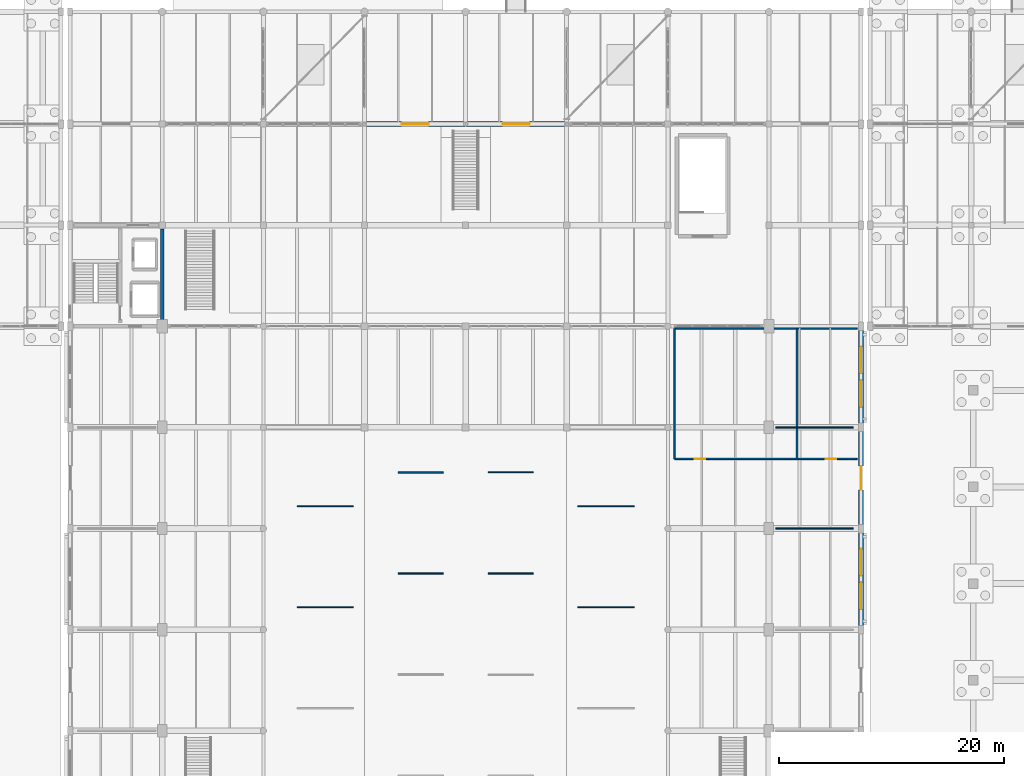
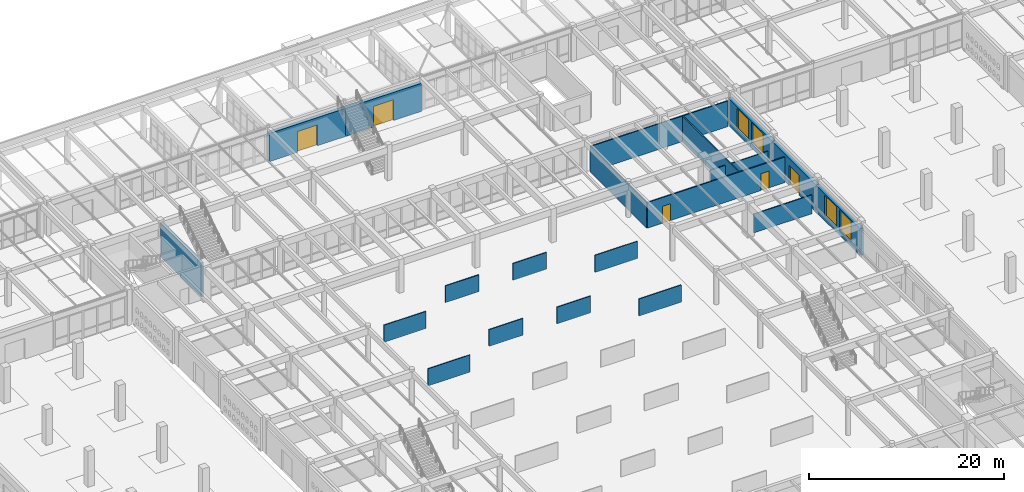
# One storey, part 166 of 186: 20 walls, 5 doors, 4 windows, 9 openings.
"""IFC4 building model written with IfcOpenShell, lengths in metres."""

from ifc_helpers import new_model, si_unit, direction, frame, frame_2d, origin, place, context, subcontext, project, spatial, rectangle, extrude, material, layer, layer_set, type_object, element, fill, save


model = new_model("IFC4")

# Units and contexts
model_context = context("Model", 3, precision=1e-05, world=origin(), true_north=direction((0.0, 1.0)))
body_context = subcontext(model_context, "Body", "Model", "MODEL_VIEW")
ifc_project = project(units=[si_unit("LENGTHUNIT", "METRE"), si_unit("AREAUNIT", "SQUARE_METRE"), si_unit("VOLUMEUNIT", "CUBIC_METRE"), si_unit("PLANEANGLEUNIT", "RADIAN"), si_unit("MASSUNIT", "GRAM", prefix="KILO")], contexts=[model_context])

# Site, building, storey
site_placement = place(None, origin())
site = spatial("IfcSite", under=ifc_project, at=site_placement, CompositionType="ELEMENT")
building_placement = place(site_placement, origin())
building = spatial("IfcBuilding", under=site, at=building_placement, Name="Ornek Quay Market", CompositionType="ELEMENT")
storey_placement = place(building_placement, origin())
storey = spatial("IfcBuildingStorey", under=building, at=storey_placement, Name="L00", CompositionType="ELEMENT", Elevation=0.0)

# Wall
ifc_material_1 = material(Name="Concrete C40/50", Category="concrete")
ifc_layer_1 = layer(ifc_material_1, 0.300048828125, Name="Concrete C40/50", Category="concrete")
ifc_layer_set_1 = layer_set([ifc_layer_1], Name="Concrete C40/50")
wall_type_1 = type_object("IfcWallType", Name="WL-CORE-300", PredefinedType="SHEAR", material=ifc_layer_set_1)
wall_1_placement = place(storey_placement, frame((63.0, 92.35009765625, 0.0), z_axis=(0.0, 0.0, 1.0), x_axis=(0.0, 1.0, 0.0)))
element("IfcWall", 1, at=wall_1_placement, inside=storey, type_object=wall_type_1, Name="Interior wall W-CORE1-039", PredefinedType="SHEAR", context=body_context, shape_type="SweptSolid", body=[
    extrude(rectangle(XDim=8.2998046875, YDim=0.300048828125, at=frame_2d((4.14990234375, 0.0))), origin(), (0.0, 0.0, 1.0), 4.219970703125),
])

# Wall, openings, windows
ifc_material_2 = material(Name="Frost-resistant facing clay brick M200 F100", Category="masonry")
ifc_layer_2 = layer(ifc_material_2, 0.419921875, Name="Frost-resistant facing clay brick M200 F100", Category="masonry")
ifc_layer_set_2 = layer_set([ifc_layer_2], Name="Frost-resistant facing clay brick M200 F100")
wall_type_2 = type_object("IfcWallType", Name="WL-EXT-HALL-420", PredefinedType="STANDARD", material=ifc_layer_set_2)
wall_2_placement = place(storey_placement, frame((125.199951171875, 65.0, 0.0), z_axis=(0.0, 0.0, 1.0), x_axis=(0.0, 1.0, 0.0)))
wall_2 = element("IfcWall", 2, at=wall_2_placement, inside=storey, type_object=wall_type_2, Name="Exterior wall EW-124", PredefinedType="STANDARD", context=body_context, shape_type="SweptSolid", body=[
    extrude(rectangle(XDim=9.0, YDim=0.419921875, at=frame_2d((4.5, 0.0))), origin(), (0.0, 0.0, 1.0), 3.3701171875),
])
opening_1_placement = place(wall_2_placement, frame((1.800048828125, 0.0, 0.590087890625)))
opening_1 = element("IfcOpeningElement", 3, at=opening_1_placement, cuts=wall_2, Name="Opening W-01-082", PredefinedType="OPENING", context=body_context, shape_type="SweptSolid", body=[
    extrude(rectangle(XDim=2.39990234375, YDim=2.60009765625, at=frame_2d((1.199951171875, 1.300048828125))), frame((0.0, 0.219970703125, 0.0), z_axis=(0.0, -1.0, 0.0), x_axis=(1.0, 0.0, 0.0)), (0.0, 0.0, 1.0), 0.43994140625),
])
opening_2_placement = place(wall_2_placement, frame((4.800048828125, 0.0, 0.590087890625)))
opening_2 = element("IfcOpeningElement", 4, at=opening_2_placement, cuts=wall_2, Name="Opening W-01-083", PredefinedType="OPENING", context=body_context, shape_type="SweptSolid", body=[
    extrude(rectangle(XDim=2.39990234375, YDim=2.60009765625, at=frame_2d((1.199951171875, 1.300048828125))), frame((0.0, 0.219970703125, 0.0), z_axis=(0.0, -1.0, 0.0), x_axis=(1.0, 0.0, 0.0)), (0.0, 0.0, 1.0), 0.43994140625),
])
ifc_material_3 = material(Name="Thermally broken bronze aluminium and triple low-e glass", Category="aluminium")
window_type = type_object("IfcWindowType", Name="WN-HALL-2400x2600", PartitioningType="DOUBLE_PANEL_VERTICAL", PredefinedType="WINDOW", material=ifc_material_3)
window_1_placement = place(opening_1_placement, origin())
window_1 = element("IfcWindow", 5, at=window_1_placement, inside=storey, type_object=window_type, Name="Window W-01-082", OverallHeight=2.60009765625, OverallWidth=2.39990234375, PartitioningType="SINGLE_PANEL", PredefinedType="WINDOW", context=body_context, shape_type="SweptSolid", body=[
    extrude(rectangle(XDim=2.39990234375, YDim=2.60009765625, at=frame_2d((1.199951171875, 1.300048828125))), frame((0.0, 0.030029296875, 0.0), z_axis=(0.0, -1.0, 0.0), x_axis=(1.0, 0.0, 0.0)), (0.0, 0.0, 1.0), 0.06005859375),
])
fill(opening_1, window_1)
window_2_placement = place(opening_2_placement, origin())
window_2 = element("IfcWindow", 6, at=window_2_placement, inside=storey, type_object=window_type, Name="Window W-01-083", OverallHeight=2.60009765625, OverallWidth=2.39990234375, PartitioningType="SINGLE_PANEL", PredefinedType="WINDOW", context=body_context, shape_type="SweptSolid", body=[
    extrude(rectangle(XDim=2.39990234375, YDim=2.60009765625, at=frame_2d((1.199951171875, 1.300048828125))), frame((0.0, 0.030029296875, 0.0), z_axis=(0.0, -1.0, 0.0), x_axis=(1.0, 0.0, 0.0)), (0.0, 0.0, 1.0), 0.06005859375),
])
fill(opening_2, window_2)

# Wall, opening, door
wall_3_placement = place(storey_placement, frame((125.199951171875, 74.0, 0.0), z_axis=(0.0, 0.0, 1.0), x_axis=(0.0, 1.0, 0.0)))
wall_3 = element("IfcWall", 7, at=wall_3_placement, inside=storey, type_object=wall_type_2, Name="Exterior wall EW-125", PredefinedType="STANDARD", context=body_context, shape_type="SweptSolid", body=[
    extrude(rectangle(XDim=9.0, YDim=0.419921875, at=frame_2d((4.5, 0.0))), origin(), (0.0, 0.0, 1.0), 3.3701171875),
])
opening_3_placement = place(wall_3_placement, frame((3.449951171875, 0.0, 0.0)))
opening_3 = element("IfcOpeningElement", 8, at=opening_3_placement, cuts=wall_3, Name="Opening ED-02-034", PredefinedType="OPENING", context=body_context, shape_type="SweptSolid", body=[
    extrude(rectangle(XDim=2.10009765625, YDim=2.5, at=frame_2d((1.050048828125, 1.25))), frame((0.0, 0.219970703125, 0.0), z_axis=(0.0, -1.0, 0.0), x_axis=(1.0, 0.0, 0.0)), (0.0, 0.0, 1.0), 0.43994140625),
])
ifc_material_4 = material(Name="Anodised bronze aluminium and triple glass", Category="aluminium")
door_type_1 = type_object("IfcDoorType", Name="DR-EXT-DBL-2100x2500", OperationType="DOUBLE_DOOR_SINGLE_SWING", PredefinedType="DOOR", material=ifc_material_4)
door_1_placement = place(opening_3_placement, origin())
door_1 = element("IfcDoor", 9, at=door_1_placement, inside=storey, type_object=door_type_1, Name="Exterior door ED-02-034", OperationType="DOUBLE_DOOR_SINGLE_SWING", OverallHeight=2.5, OverallWidth=2.10009765625, PredefinedType="DOOR", context=body_context, shape_type="SweptSolid", body=[
    extrude(rectangle(XDim=2.10009765625, YDim=2.5, at=frame_2d((1.050048828125, 1.25))), frame((0.0, 0.02490234375, 0.0), z_axis=(0.0, -1.0, 0.0), x_axis=(1.0, 0.0, 0.0)), (0.0, 0.0, 1.0), 0.050048828125),
])
fill(opening_3, door_1)

# Wall, openings, windows
wall_4_placement = place(storey_placement, frame((125.199951171875, 83.0, 0.0), z_axis=(0.0, 0.0, 1.0), x_axis=(0.0, 1.0, 0.0)))
wall_4 = element("IfcWall", 10, at=wall_4_placement, inside=storey, type_object=wall_type_2, Name="Exterior wall EW-126", PredefinedType="STANDARD", context=body_context, shape_type="SweptSolid", body=[
    extrude(rectangle(XDim=9.0, YDim=0.419921875, at=frame_2d((4.5, 0.0))), origin(), (0.0, 0.0, 1.0), 3.3701171875),
])
opening_4_placement = place(wall_4_placement, frame((1.800048828125, 0.0, 0.590087890625)))
opening_4 = element("IfcOpeningElement", 11, at=opening_4_placement, cuts=wall_4, Name="Opening W-01-084", PredefinedType="OPENING", context=body_context, shape_type="SweptSolid", body=[
    extrude(rectangle(XDim=2.39990234375, YDim=2.60009765625, at=frame_2d((1.199951171875, 1.300048828125))), frame((0.0, 0.219970703125, 0.0), z_axis=(0.0, -1.0, 0.0), x_axis=(1.0, 0.0, 0.0)), (0.0, 0.0, 1.0), 0.43994140625),
])
opening_5_placement = place(wall_4_placement, frame((4.800048828125, 0.0, 0.590087890625)))
opening_5 = element("IfcOpeningElement", 12, at=opening_5_placement, cuts=wall_4, Name="Opening W-01-085", PredefinedType="OPENING", context=body_context, shape_type="SweptSolid", body=[
    extrude(rectangle(XDim=2.39990234375, YDim=2.60009765625, at=frame_2d((1.199951171875, 1.300048828125))), frame((0.0, 0.219970703125, 0.0), z_axis=(0.0, -1.0, 0.0), x_axis=(1.0, 0.0, 0.0)), (0.0, 0.0, 1.0), 0.43994140625),
])
window_3_placement = place(opening_4_placement, origin())
window_3 = element("IfcWindow", 13, at=window_3_placement, inside=storey, type_object=window_type, Name="Window W-01-084", OverallHeight=2.60009765625, OverallWidth=2.39990234375, PartitioningType="SINGLE_PANEL", PredefinedType="WINDOW", context=body_context, shape_type="SweptSolid", body=[
    extrude(rectangle(XDim=2.39990234375, YDim=2.60009765625, at=frame_2d((1.199951171875, 1.300048828125))), frame((0.0, 0.030029296875, 0.0), z_axis=(0.0, -1.0, 0.0), x_axis=(1.0, 0.0, 0.0)), (0.0, 0.0, 1.0), 0.06005859375),
])
fill(opening_4, window_3)
window_4_placement = place(opening_5_placement, origin())
window_4 = element("IfcWindow", 14, at=window_4_placement, inside=storey, type_object=window_type, Name="Window W-01-085", OverallHeight=2.60009765625, OverallWidth=2.39990234375, PartitioningType="SINGLE_PANEL", PredefinedType="WINDOW", context=body_context, shape_type="SweptSolid", body=[
    extrude(rectangle(XDim=2.39990234375, YDim=2.60009765625, at=frame_2d((1.199951171875, 1.300048828125))), frame((0.0, 0.030029296875, 0.0), z_axis=(0.0, -1.0, 0.0), x_axis=(1.0, 0.0, 0.0)), (0.0, 0.0, 1.0), 0.06005859375),
])
fill(opening_5, window_4)

# Wall, opening, door
ifc_material_5 = material(Name="Granite-faced insulated concrete C35/45", Category="masonry")
ifc_layer_3 = layer(ifc_material_5, 0.43994140625, Name="Granite-faced insulated concrete C35/45", Category="masonry")
ifc_layer_set_3 = layer_set([ifc_layer_3], Name="Granite-faced insulated concrete C35/45")
wall_type_3 = type_object("IfcWallType", Name="WL-EXT-PLINTH-440", PredefinedType="STANDARD", material=ifc_layer_set_3)
wall_5_placement = place(storey_placement, frame((81.0, 110.0, 0.0), z_axis=(0.0, 0.0, 1.0), x_axis=(1.0, 0.0, 0.0)))
wall_5 = element("IfcWall", 15, at=wall_5_placement, inside=storey, type_object=wall_type_3, Name="Exterior wall EW-095", PredefinedType="STANDARD", context=body_context, shape_type="SweptSolid", body=[
    extrude(rectangle(XDim=9.0, YDim=0.43994140625, at=frame_2d((4.5, 0.0))), origin(), (0.0, 0.0, 1.0), 3.52001953125),
])
opening_6_placement = place(wall_5_placement, frame((3.300048828125, 0.0, 0.0)))
opening_6 = element("IfcOpeningElement", 16, at=opening_6_placement, cuts=wall_5, Name="Opening ED-01-020", PredefinedType="OPENING", context=body_context, shape_type="SweptSolid", body=[
    extrude(rectangle(XDim=2.39990234375, YDim=2.60009765625, at=frame_2d((1.199951171875, 1.300048828125))), frame((0.0, 0.22998046875, 0.0), z_axis=(0.0, -1.0, 0.0), x_axis=(1.0, 0.0, 0.0)), (0.0, 0.0, 1.0), 0.4599609375),
])
door_type_2 = type_object("IfcDoorType", Name="DR-EXT-DBL-2400x2600", OperationType="DOUBLE_DOOR_SINGLE_SWING", PredefinedType="DOOR", material=ifc_material_4)
door_2_placement = place(opening_6_placement, origin())
door_2 = element("IfcDoor", 17, at=door_2_placement, inside=storey, type_object=door_type_2, Name="Exterior door ED-01-020", OperationType="DOUBLE_DOOR_SINGLE_SWING", OverallHeight=2.60009765625, OverallWidth=2.39990234375, PredefinedType="DOOR", context=body_context, shape_type="SweptSolid", body=[
    extrude(rectangle(XDim=2.39990234375, YDim=2.60009765625, at=frame_2d((1.199951171875, 1.300048828125))), frame((0.0, 0.02490234375, 0.0), z_axis=(0.0, -1.0, 0.0), x_axis=(1.0, 0.0, 0.0)), (0.0, 0.0, 1.0), 0.050048828125),
])
fill(opening_6, door_2)

wall_6_placement = place(storey_placement, frame((90.0, 110.0, 0.0), z_axis=(0.0, 0.0, 1.0), x_axis=(1.0, 0.0, 0.0)))
wall_6 = element("IfcWall", 18, at=wall_6_placement, inside=storey, type_object=wall_type_3, Name="Exterior wall EW-096", PredefinedType="STANDARD", context=body_context, shape_type="SweptSolid", body=[
    extrude(rectangle(XDim=9.0, YDim=0.43994140625, at=frame_2d((4.5, 0.0))), origin(), (0.0, 0.0, 1.0), 3.52001953125),
])
opening_7_placement = place(wall_6_placement, frame((3.300048828125, 0.0, 0.0)))
opening_7 = element("IfcOpeningElement", 19, at=opening_7_placement, cuts=wall_6, Name="Opening ED-01-021", PredefinedType="OPENING", context=body_context, shape_type="SweptSolid", body=[
    extrude(rectangle(XDim=2.39990234375, YDim=2.60009765625, at=frame_2d((1.199951171875, 1.300048828125))), frame((0.0, 0.22998046875, 0.0), z_axis=(0.0, -1.0, 0.0), x_axis=(1.0, 0.0, 0.0)), (0.0, 0.0, 1.0), 0.4599609375),
])
door_3_placement = place(opening_7_placement, origin())
door_3 = element("IfcDoor", 20, at=door_3_placement, inside=storey, type_object=door_type_2, Name="Exterior door ED-01-021", OperationType="DOUBLE_DOOR_SINGLE_SWING", OverallHeight=2.60009765625, OverallWidth=2.39990234375, PredefinedType="DOOR", context=body_context, shape_type="SweptSolid", body=[
    extrude(rectangle(XDim=2.39990234375, YDim=2.60009765625, at=frame_2d((1.199951171875, 1.300048828125))), frame((0.0, 0.02490234375, 0.0), z_axis=(0.0, -1.0, 0.0), x_axis=(1.0, 0.0, 0.0)), (0.0, 0.0, 1.0), 0.050048828125),
])
fill(opening_7, door_3)

# Walls
ifc_material_6 = material(Name="Demountable timber-framed stall partition", Category="wood")
ifc_layer_4 = layer(ifc_material_6, 0.10009765625, Name="Demountable timber-framed stall partition", Category="wood")
ifc_layer_set_4 = layer_set([ifc_layer_4], Name="Demountable timber-framed stall partition")
wall_type_4 = type_object("IfcWallType", Name="WL-STALL-100", PredefinedType="PARTITIONING", material=ifc_layer_set_4)
for number, where, z_axis, x_axis, name in (
    (21, (75.0, 67.0, 0.0), (0.0, 0.0, 1.0), (1.0, 0.0, 0.0), "Interior wall W-STL2-286"),
    (22, (100.0, 67.0, 0.0), (0.0, 0.0, 1.0), (1.0, 0.0, 0.0), "Interior wall W-STL2-287"),
    (23, (75.0, 76.0, 0.0), (0.0, 0.0, 1.0), (1.0, 0.0, 0.0), "Interior wall W-STL2-290"),
    (24, (100.0, 76.0, 0.0), (0.0, 0.0, 1.0), (1.0, 0.0, 0.0), "Interior wall W-STL2-291"),
):
    element("IfcWall", number, at=place(storey_placement, frame(where, z_axis=z_axis, x_axis=x_axis)), inside=storey, type_object=wall_type_4, Name=name, PredefinedType="PARTITIONING", context=body_context, shape_type="SweptSolid", body=[
        extrude(rectangle(XDim=5.0, YDim=0.10009765625, at=frame_2d((2.5, 0.0))), origin(), (0.0, 0.0, 1.0), 2.14990234375),
    ])
for number, where, z_axis, x_axis, name in (
    (25, (92.0, 70.0, 0.0), (0.0, 0.0, 1.0), (1.0, 0.0, 0.0), "Interior wall W-STL2-370"),
    (26, (92.0, 79.0, 0.0), (0.0, 0.0, 1.0), (1.0, 0.0, 0.0), "Interior wall W-STL2-372"),
):
    element("IfcWall", number, at=place(storey_placement, frame(where, z_axis=z_axis, x_axis=x_axis)), inside=storey, type_object=wall_type_4, Name=name, PredefinedType="PARTITIONING", context=body_context, shape_type="SweptSolid", body=[
        extrude(rectangle(XDim=4.0, YDim=0.10009765625, at=frame_2d((2.0, 0.0))), origin(), (0.0, 0.0, 1.0), 2.10009765625),
    ])
ifc_material_7 = material(Name="Fair-faced brick stall divider wall", Category="masonry")
ifc_layer_5 = layer(ifc_material_7, 0.114990234375, Name="Fair-faced brick stall divider wall", Category="masonry")
ifc_layer_set_5 = layer_set([ifc_layer_5], Name="Fair-faced brick stall divider wall")
wall_type_5 = type_object("IfcWallType", Name="WL-STALL-115", PredefinedType="PARTITIONING", material=ifc_layer_set_5)
for number, where, z_axis, x_axis, name in (
    (27, (117.60009765625, 74.0, 0.0), (0.0, 0.0, 1.0), (1.0, 0.0, 0.0), "Interior wall W-STL1-289"),
    (28, (117.60009765625, 83.0, 0.0), (0.0, 0.0, 1.0), (1.0, 0.0, 0.0), "Interior wall W-STL1-293"),
):
    element("IfcWall", number, at=place(storey_placement, frame(where, z_axis=z_axis, x_axis=x_axis)), inside=storey, type_object=wall_type_5, Name=name, PredefinedType="PARTITIONING", context=body_context, shape_type="SweptSolid", body=[
        extrude(rectangle(XDim=6.89990234375, YDim=0.114990234375, at=frame_2d((3.449951171875, 0.0))), origin(), (0.0, 0.0, 1.0), 2.35009765625),
    ])
for number, where, z_axis, x_axis, name in (
    (29, (84.0, 70.0, 0.0), (0.0, 0.0, 1.0), (1.0, 0.0, 0.0), "Interior wall W-STL1-369"),
    (30, (84.0, 79.0, 0.0), (0.0, 0.0, 1.0), (1.0, 0.0, 0.0), "Interior wall W-STL1-371"),
):
    element("IfcWall", number, at=place(storey_placement, frame(where, z_axis=z_axis, x_axis=x_axis)), inside=storey, type_object=wall_type_5, Name=name, PredefinedType="PARTITIONING", context=body_context, shape_type="SweptSolid", body=[
        extrude(rectangle(XDim=4.0, YDim=0.114990234375, at=frame_2d((2.0, 0.0))), origin(), (0.0, 0.0, 1.0), 2.10009765625),
    ])

# Wall, openings, doors
ifc_material_8 = material(Name="Moisture-resistant masonry partition", Category="masonry")
ifc_layer_6 = layer(ifc_material_8, 0.139892578125, Name="Moisture-resistant masonry partition", Category="masonry")
ifc_layer_set_6 = layer_set([ifc_layer_6], Name="Moisture-resistant masonry partition")
wall_type_6 = type_object("IfcWallType", Name="WL-WC-140", PredefinedType="PARTITIONING", material=ifc_layer_set_6)
wall_7_placement = place(storey_placement, frame((108.60009765625, 80.199951171875, 0.0), z_axis=(0.0, 0.0, 1.0), x_axis=(1.0, 0.0, 0.0)))
wall_7 = element("IfcWall", 31, at=wall_7_placement, inside=storey, type_object=wall_type_6, Name="Interior wall W-INT4-294", PredefinedType="PARTITIONING", context=body_context, shape_type="SweptSolid", body=[
    extrude(rectangle(XDim=16.25, YDim=0.139892578125, at=frame_2d((8.125, 0.0))), origin(), (0.0, 0.0, 1.0), 3.199951171875),
])
opening_8_placement = place(wall_7_placement, frame((1.800048828125, 0.0, 0.0)))
opening_8 = element("IfcOpeningElement", 32, at=opening_8_placement, cuts=wall_7, Name="Opening ID-04-127", PredefinedType="OPENING", context=body_context, shape_type="SweptSolid", body=[
    extrude(rectangle(XDim=0.949951171875, YDim=2.10009765625, at=frame_2d((0.47509765625, 1.050048828125))), frame((0.0, 0.079833984375, 0.0), z_axis=(0.0, -1.0, 0.0), x_axis=(1.0, 0.0, 0.0)), (0.0, 0.0, 1.0), 0.159912109375),
])
opening_9_placement = place(wall_7_placement, frame((13.449951171875, 0.0, 0.0)))
opening_9 = element("IfcOpeningElement", 33, at=opening_9_placement, cuts=wall_7, Name="Opening ID-04-128", PredefinedType="OPENING", context=body_context, shape_type="SweptSolid", body=[
    extrude(rectangle(XDim=0.949951171875, YDim=2.10009765625, at=frame_2d((0.47509765625, 1.050048828125))), frame((0.0, 0.079833984375, 0.0), z_axis=(0.0, -1.0, 0.0), x_axis=(1.0, 0.0, 0.0)), (0.0, 0.0, 1.0), 0.159912109375),
])
ifc_material_9 = material(Name="Moisture-resistant laminate door", Category="other")
door_type_3 = type_object("IfcDoorType", Name="DR-INT-WC-950x2100", OperationType="NOTDEFINED", PredefinedType="DOOR", material=ifc_material_9)
door_4_placement = place(opening_8_placement, origin())
door_4 = element("IfcDoor", 34, at=door_4_placement, inside=storey, type_object=door_type_3, Name="Interior door ID-04-127", OperationType="SINGLE_SWING_RIGHT", OverallHeight=2.10009765625, OverallWidth=0.949951171875, PredefinedType="DOOR", context=body_context, shape_type="SweptSolid", body=[
    extrude(rectangle(XDim=0.949951171875, YDim=2.10009765625, at=frame_2d((0.47509765625, 1.050048828125))), frame((0.0, 0.02490234375, 0.0), z_axis=(0.0, -1.0, 0.0), x_axis=(1.0, 0.0, 0.0)), (0.0, 0.0, 1.0), 0.050048828125),
])
fill(opening_8, door_4)
door_5_placement = place(opening_9_placement, origin())
door_5 = element("IfcDoor", 35, at=door_5_placement, inside=storey, type_object=door_type_3, Name="Interior door ID-04-128", OperationType="SINGLE_SWING_LEFT", OverallHeight=2.10009765625, OverallWidth=0.949951171875, PredefinedType="DOOR", context=body_context, shape_type="SweptSolid", body=[
    extrude(rectangle(XDim=0.949951171875, YDim=2.10009765625, at=frame_2d((0.47509765625, 1.050048828125))), frame((0.0, 0.02490234375, 0.0), z_axis=(0.0, -1.0, 0.0), x_axis=(1.0, 0.0, 0.0)), (0.0, 0.0, 1.0), 0.050048828125),
])
fill(opening_9, door_5)

# Walls
wall_8_placement = place(storey_placement, frame((108.60009765625, 80.199951171875, 0.0), z_axis=(0.0, 0.0, 1.0), x_axis=(0.0, 1.0, 0.0)))
element("IfcWall", 36, at=wall_8_placement, inside=storey, type_object=wall_type_6, Name="Interior wall W-INT4-385", PredefinedType="PARTITIONING", context=body_context, shape_type="SweptSolid", body=[
    extrude(rectangle(XDim=11.60009765625, YDim=0.139892578125, at=frame_2d((5.800048828125, 0.0))), origin(), (0.0, 0.0, 1.0), 3.199951171875),
])
wall_9_placement = place(storey_placement, frame((108.60009765625, 91.800048828125, 0.0), z_axis=(0.0, 0.0, 1.0), x_axis=(1.0, 0.0, 0.0)))
element("IfcWall", 37, at=wall_9_placement, inside=storey, type_object=wall_type_6, Name="Interior wall W-INT4-386", PredefinedType="PARTITIONING", context=body_context, shape_type="SweptSolid", body=[
    extrude(rectangle(XDim=16.25, YDim=0.139892578125, at=frame_2d((8.125, 0.0))), origin(), (0.0, 0.0, 1.0), 3.199951171875),
])
wall_10_placement = place(storey_placement, frame((119.5, 80.199951171875, 0.0), z_axis=(0.0, 0.0, 1.0), x_axis=(0.0, 1.0, 0.0)))
element("IfcWall", 38, at=wall_10_placement, inside=storey, type_object=wall_type_6, Name="Interior wall W-INT4-387", PredefinedType="PARTITIONING", context=body_context, shape_type="SweptSolid", body=[
    extrude(rectangle(XDim=11.60009765625, YDim=0.139892578125, at=frame_2d((5.800048828125, 0.0))), origin(), (0.0, 0.0, 1.0), 3.199951171875),
])

save(model, "model.ifc")
